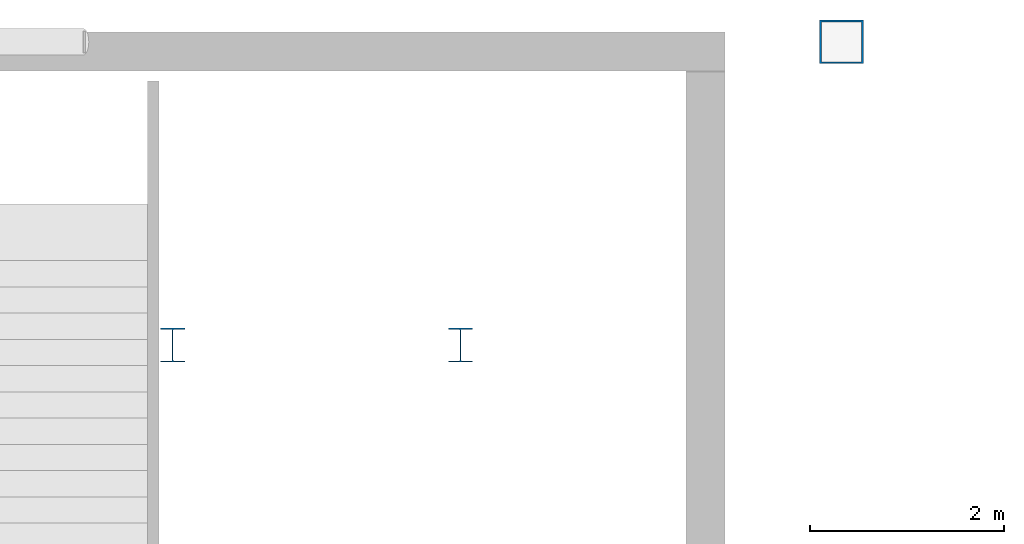
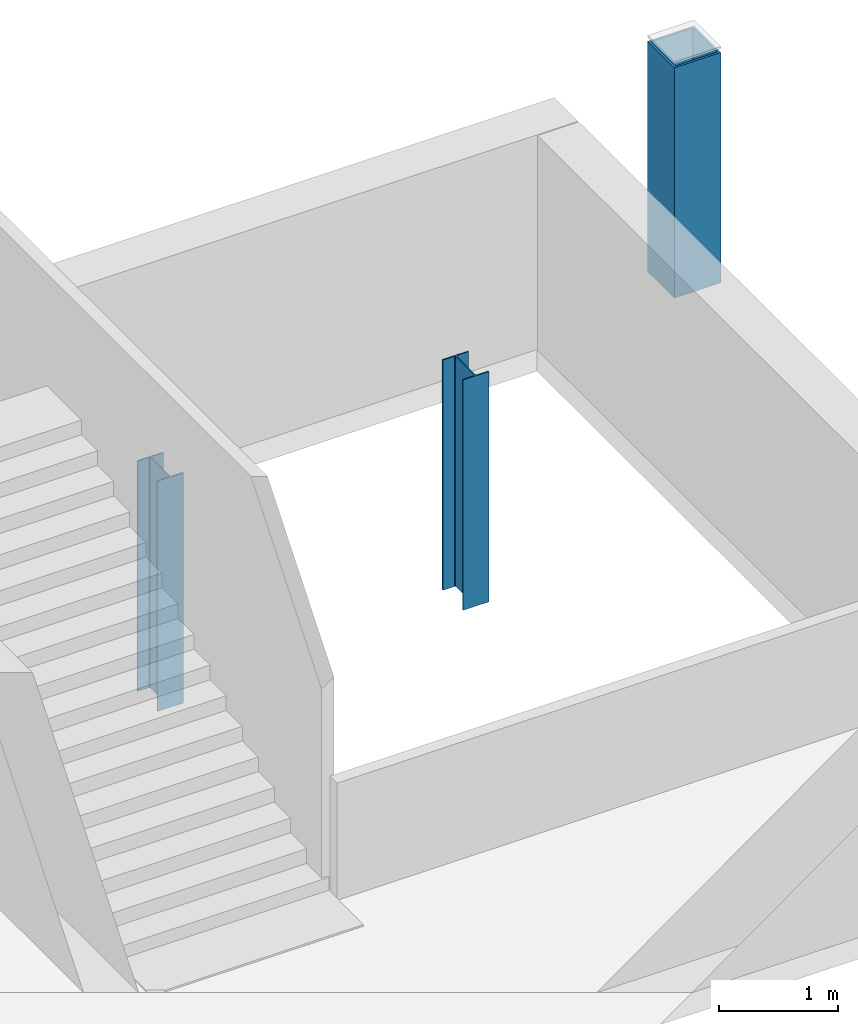
# One storey, part 4 of 12: 3 columns.
"""IFC4 building model written with IfcOpenShell, lengths in metres."""

import ifcopenshell
import ifcopenshell.guid

model = None  # the IFC model being written
_history = None  # IfcOwnerHistory: only IFC2X3 demands one
_inside = {}  # id of a spatial element -> (the spatial element, [elements in it])
_under = {}  # id of a project, library or spatial element -> (it, [spatial elements below it])
_declared = {}  # id of a project -> (the project, [libraries it declares])
_typed = {}  # id of a type object -> (the type object, [elements of that type])
_made_of = {}  # id of a material, layer set ... -> (it, [elements and type objects made of it])


def new_model(schema):
    """Start an empty IFC model of exactly this schema.

    Asked for "IFC4X3", IfcOpenShell would pick the latest addendum, in which some entities
    have other attributes; the version numbers below select the first issue.
    IFC2X3 requires an IfcOwnerHistory on every rooted entity: one is made here for all.
    """
    global model, _history
    if schema == "IFC4X3":
        model = ifcopenshell.file(schema_version=(4, 3, 0, 0))
    else:
        model = ifcopenshell.file(schema=schema)
    _inside.clear()
    _under.clear()
    _declared.clear()
    _typed.clear()
    _made_of.clear()
    _history = None
    if model.schema == "IFC2X3":
        org = make("IfcOrganization", Name="unknown")
        user = make(
            "IfcPersonAndOrganization",
            ThePerson=make("IfcPerson", FamilyName="unknown"),
            TheOrganization=org,
        )
        app = make(
            "IfcApplication",
            ApplicationDeveloper=org,
            Version="unknown",
            ApplicationFullName="unknown",
            ApplicationIdentifier="unknown",
        )
        _history = make(
            "IfcOwnerHistory",
            OwningUser=user,
            OwningApplication=app,
            ChangeAction="ADDED",
            CreationDate=0,
        )
    return model


def make(cls, **values):
    """One entity of the class cls with the attributes given. An attribute that is None is left unset."""
    return model.create_entity(
        cls, **{name: value for name, value in values.items() if value is not None}
    )


def rooted(cls, **values):
    """An entity with a GlobalId (a new one), such as an element, a storey or a relation."""
    return make(cls, GlobalId=ifcopenshell.guid.new(), OwnerHistory=_history, **values)


def si_unit(unit_type, name, prefix=None):
    """IfcSIUnit, for example si_unit("LENGTHUNIT", "METRE", prefix="MILLI")."""
    return make("IfcSIUnit", UnitType=unit_type, Prefix=prefix, Name=name)


def derived_unit(unit_type, elements):
    """IfcDerivedUnit: a product of units, each with its exponent."""
    return make(
        "IfcDerivedUnit",
        Elements=[
            make("IfcDerivedUnitElement", Unit=unit, Exponent=power)
            for unit, power in elements
        ],
        UnitType=unit_type,
    )


def assignment(units):
    """IfcUnitAssignment: the units of a project."""
    return None if units is None else make("IfcUnitAssignment", Units=units)


def point(xyz):
    """IfcCartesianPoint."""
    return None if xyz is None else make("IfcCartesianPoint", Coordinates=xyz)


def direction(xyz):
    """IfcDirection."""
    return None if xyz is None else make("IfcDirection", DirectionRatios=xyz)


def frame(location, z_axis=None, x_axis=None):
    """IfcAxis2Placement3D, a coordinate frame: its origin and axes. An axis left out is left unset."""
    return make(
        "IfcAxis2Placement3D",
        Location=point(location),
        Axis=direction(z_axis),
        RefDirection=direction(x_axis),
    )


def frame_2d(location, x_axis=None):
    """IfcAxis2Placement2D, a coordinate frame in the plane: its origin and x axis."""
    return make(
        "IfcAxis2Placement2D", Location=point(location), RefDirection=direction(x_axis)
    )


def origin():
    """The frame at (0, 0, 0) with its axes left unset."""
    return frame((0.0, 0.0, 0.0))


def origin_2d():
    """The frame at (0, 0) in the plane with its x axis left unset."""
    return frame_2d((0.0, 0.0))


def place(relative_to, where):
    """IfcLocalPlacement: puts the frame where relative to a parent placement (None: the world)."""
    return make(
        "IfcLocalPlacement", PlacementRelTo=relative_to, RelativePlacement=where
    )


def context(
    kind, dimensions, precision=None, world=None, true_north=None, identifier=None
):
    """IfcGeometricRepresentationContext, for example the 3D "Model" context."""
    return make(
        "IfcGeometricRepresentationContext",
        ContextIdentifier=identifier,
        ContextType=kind,
        CoordinateSpaceDimension=dimensions,
        Precision=precision,
        WorldCoordinateSystem=world,
        TrueNorth=true_north,
    )


def subcontext(parent, identifier, kind, view, scale=None):
    """IfcGeometricRepresentationSubContext, for example "Body" below "Model"."""
    return make(
        "IfcGeometricRepresentationSubContext",
        ContextIdentifier=identifier,
        ContextType=kind,
        ParentContext=parent,
        TargetScale=scale,
        TargetView=view,
    )


def project(units=None, contexts=None):
    """IfcProject with its units and contexts."""
    return rooted(
        "IfcProject",
        Name="project",
        RepresentationContexts=contexts,
        UnitsInContext=assignment(units),
    )


def spatial(cls, under=None, at=None, **own):
    """A site, building, storey or space (cls), placed at a placement, below another one or the project."""
    s = rooted(cls, ObjectPlacement=at, **own)
    if under is not None:
        _under.setdefault(under.id(), (under, []))[1].append(s)
    return s


def profile(cls, at=None, kind="AREA", **sizes):
    """A parametric profile (cls). Its sizes go by their IFC names, for example OverallWidth=200.0."""
    return make(cls, ProfileType=kind, Position=at, **sizes)


def hollow_rectangle(**sizes):
    """IfcRectangleHollowProfileDef."""
    return profile("IfcRectangleHollowProfileDef", **sizes)


def i_section(**sizes):
    """IfcIShapeProfileDef."""
    return profile("IfcIShapeProfileDef", **sizes)


def extrude(swept, where, along, depth):
    """IfcExtrudedAreaSolid: the profile swept, set in the frame where, extruded along a direction by depth."""
    return make(
        "IfcExtrudedAreaSolid",
        SweptArea=swept,
        Position=where,
        ExtrudedDirection=direction(along),
        Depth=depth,
    )


def shape(context_of_items, identifier, shape_type, items):
    """IfcShapeRepresentation: the items that make up one representation, for example the "Body"."""
    return make(
        "IfcShapeRepresentation",
        ContextOfItems=context_of_items,
        RepresentationIdentifier=identifier,
        RepresentationType=shape_type,
        Items=items,
    )


def material(Name=None, Category=None):
    """IfcMaterial."""
    return make("IfcMaterial", Name=Name, Category=Category)


def material_profile(
    of_material, cross_section, Name=None, Category=None, Priority=None
):
    """IfcMaterialProfile: a cross section and its material."""
    return make(
        "IfcMaterialProfile",
        Name=Name,
        Material=of_material,
        Profile=cross_section,
        Priority=Priority,
        Category=Category,
    )


def profile_set(profiles, Name=None, composite=None):
    """IfcMaterialProfileSet."""
    return make(
        "IfcMaterialProfileSet",
        Name=Name,
        MaterialProfiles=profiles,
        CompositeProfile=composite,
    )


def made_of(thing, what):
    """Note that an element or type object is made of a material, layer set ...; save() writes the relation."""
    if what is not None:
        _made_of.setdefault(what.id(), (what, []))[1].append(thing)
    return thing


def type_object(cls, material=None, **own):
    """A type object (cls), such as IfcWallType, which elements share."""
    return made_of(rooted(cls, **own), material)


def element(
    cls,
    number,
    at=None,
    inside=None,
    cuts=None,
    type_object=None,
    material=None,
    context=None,
    identifier="Body",
    shape_type=None,
    held_by="IfcProductDefinitionShape",
    body=None,
    shapes=None,
    **own,
):
    """One element of the class cls, such as IfcWall. Its Tag is "e" and its number.

    at: its placement. inside: the storey or other place that contains it. cuts: it is an
    opening in that element (IfcRelVoidsElement). A single representation is given by context,
    identifier, shape_type and body (its items); several are given by shapes. held_by: the class
    of the entity that holds the representations. save() writes the other relations.
    """
    e = rooted(cls, Tag="e%d" % number, ObjectPlacement=at, **own)
    if body is not None:
        shapes = [shape(context, identifier, shape_type, body)]
    if shapes is not None:
        e.Representation = make(held_by, Representations=shapes)
    if inside is not None:
        _inside.setdefault(inside.id(), (inside, []))[1].append(e)
    if cuts is not None:
        rooted(
            "IfcRelVoidsElement", RelatingBuildingElement=cuts, RelatedOpeningElement=e
        )
    if type_object is not None:
        _typed.setdefault(type_object.id(), (type_object, []))[1].append(e)
    return made_of(e, material)


def aggregate(whole, parts):
    """IfcRelAggregates: a whole, such as a stair, and the parts it consists of."""
    return rooted("IfcRelAggregates", RelatingObject=whole, RelatedObjects=parts)


def save(model, path):
    """Write the relations noted so far, then the file.

    IfcRelAggregates (storeys below a building ...), IfcRelContainedInSpatialStructure (elements
    in a storey), IfcRelDefinesByType, IfcRelAssociatesMaterial and IfcRelDeclares: one each for
    every whole, place, type object, material and project.
    """
    for whole, parts in _under.values():
        aggregate(whole, parts)
    for where, things in _inside.values():
        rooted(
            "IfcRelContainedInSpatialStructure",
            RelatedElements=things,
            RelatingStructure=where,
        )
    for kind, things in _typed.values():
        rooted("IfcRelDefinesByType", RelatedObjects=things, RelatingType=kind)
    for what, things in _made_of.values():
        rooted("IfcRelAssociatesMaterial", RelatedObjects=things, RelatingMaterial=what)
    for by, libraries in _declared.values():
        rooted("IfcRelDeclares", RelatingContext=by, RelatedDefinitions=libraries)
    model.write(path)


model = new_model("IFC4")

# Units and contexts
model_context = context("Model", 3, precision=1e-05, world=origin(), true_north=direction((0.0, 1.0)))
body_context = subcontext(model_context, "Body", "Model", "MODEL_VIEW")
ifc_project = project(units=[si_unit("LENGTHUNIT", "METRE"), si_unit("AREAUNIT", "SQUARE_METRE"), si_unit("VOLUMEUNIT", "CUBIC_METRE"), si_unit("PLANEANGLEUNIT", "RADIAN"), si_unit("MASSUNIT", "GRAM", prefix="KILO"), derived_unit("THERMALTRANSMITTANCEUNIT", [(si_unit("POWERUNIT", "WATT"), 1), (si_unit("LENGTHUNIT", "METRE"), -2), (si_unit("THERMODYNAMICTEMPERATUREUNIT", "KELVIN"), -1)])], contexts=[model_context])

# Site, building, storey
site_placement = place(None, origin())
site = spatial("IfcSite", under=ifc_project, at=site_placement, CompositionType="ELEMENT")
building_placement = place(site_placement, origin())
building = spatial("IfcBuilding", under=site, at=building_placement, Name="Nallur Shell Playhouse", CompositionType="ELEMENT")
storey_placement = place(building_placement, frame((0.0, 0.0, 28.800048828125)))
storey = spatial("IfcBuildingStorey", under=building, at=storey_placement, Name="RF1", CompositionType="ELEMENT", Elevation=28.800048828125)

# Columns
ifc_material = material(Name="Steel E350", Category="steel")
ifc_material_profile_1 = material_profile(ifc_material, hollow_rectangle(XDim=0.449951171875, YDim=0.449951171875, WallThickness=0.02001953125, at=origin_2d()), Name="BOX 450x450x20")
ifc_profile_set_1 = profile_set([ifc_material_profile_1], Name="Steel E350")
column_type_1 = type_object("IfcColumnType", Name="CL-ST-BOX450", PredefinedType="COLUMN", material=ifc_profile_set_1)
column_placement = place(storey_placement, frame((103.0, 83.0, 0.0), z_axis=(0.0, 0.0, 1.0), x_axis=(1.0, 0.0, 0.0)))
element("IfcColumn", 1, at=column_placement, inside=storey, type_object=column_type_1, Name="Column 13-K (RF1)", PredefinedType="COLUMN", context=body_context, shape_type="SweptSolid", body=[
    extrude(hollow_rectangle(XDim=0.449951171875, YDim=0.449951171875, WallThickness=0.02001953125, at=origin_2d()), origin(), (0.0, 0.0, 1.0), 2.35986328125),
])
ifc_material_profile_2 = material_profile(ifc_material, i_section(OverallWidth=0.25, OverallDepth=0.35009765625, WebThickness=0.010009765625, FlangeThickness=0.01171875, FilletRadius=0.011962890625, at=origin_2d()), Name="ISHB 350")
ifc_profile_set_2 = profile_set([ifc_material_profile_2], Name="Steel E350")
column_type_2 = type_object("IfcColumnType", Name="CL-ST-ISHB350", PredefinedType="COLUMN", material=ifc_profile_set_2)
for number, where, z_axis, x_axis, name in (
    (2, (96.1201171875, 79.8798828125, 0.0), (0.0, 0.0, 1.0), (1.0, 0.0, 0.0), "Column STW-JC-4-W (RF1)"),
    (3, (99.080078125, 79.8798828125, 0.0), (0.0, 0.0, 1.0), (1.0, 0.0, 0.0), "Column STW-JC-4-E (RF1)"),
):
    element("IfcColumn", number, at=place(storey_placement, frame(where, z_axis=z_axis, x_axis=x_axis)), inside=storey, type_object=column_type_2, Name=name, PredefinedType="COLUMN", context=body_context, shape_type="SweptSolid", body=[
        extrude(i_section(OverallWidth=0.25, OverallDepth=0.35009765625, WebThickness=0.010009765625, FlangeThickness=0.01171875, FilletRadius=0.011962890625, at=origin_2d()), origin(), (0.0, 0.0, 1.0), 2.35986328125),
    ])

save(model, "model.ifc")
